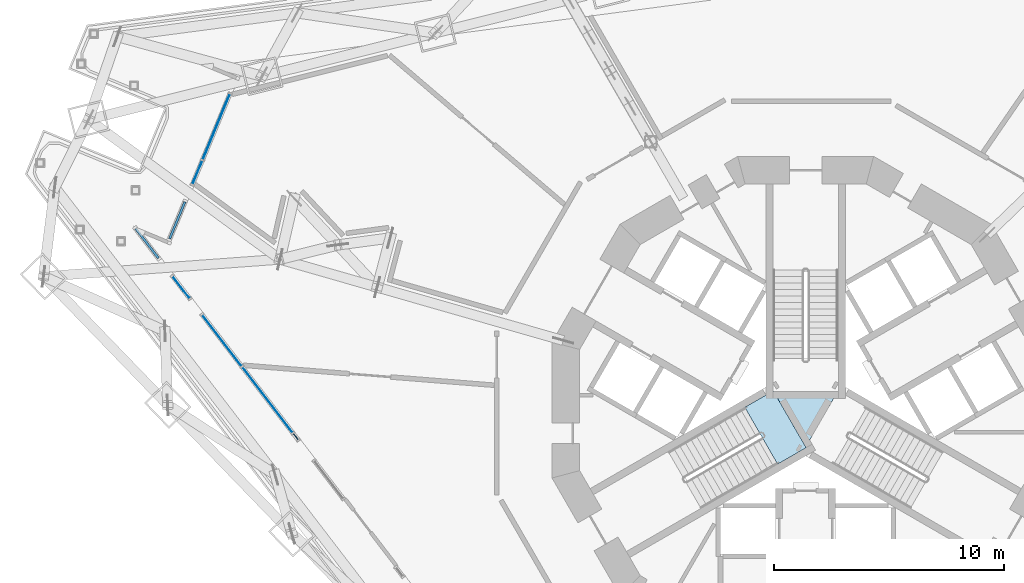
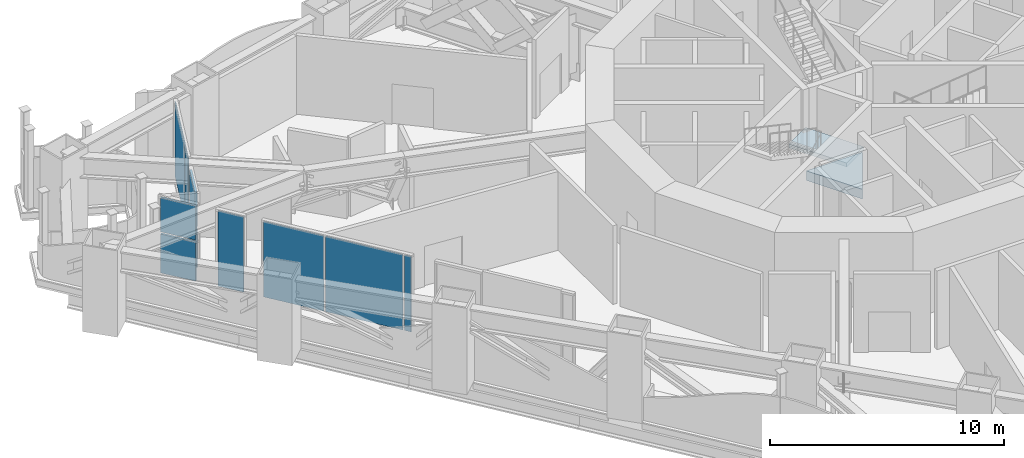
# One storey, part 15 of 31: 10 plates, 2 slabs, 6 elements without a shape of their own.
"""IFC4 building model written with IfcOpenShell, lengths in metres."""

from ifc_helpers import new_model, si_unit, direction, frame, origin, origin_2d, place, context, subcontext, project, spatial, polyline, rectangle, outline, extrude, material, layer, layer_set, type_object, element, aggregate, save


model = new_model("IFC4")

# Units and contexts
model_context = context("Model", 3, precision=1e-05, world=origin(), true_north=direction((0.0, 1.0)))
body_context = subcontext(model_context, "Body", "Model", "MODEL_VIEW")
ifc_project = project(units=[si_unit("LENGTHUNIT", "METRE"), si_unit("AREAUNIT", "SQUARE_METRE"), si_unit("VOLUMEUNIT", "CUBIC_METRE"), si_unit("PLANEANGLEUNIT", "RADIAN"), si_unit("MASSUNIT", "GRAM", prefix="KILO")], contexts=[model_context])

# Site, building, storey
site_placement = place(None, origin())
site = spatial("IfcSite", under=ifc_project, at=site_placement, CompositionType="ELEMENT")
building_placement = place(site_placement, origin())
building = spatial("IfcBuilding", under=site, at=building_placement, Name="Trine Commons Tower", CompositionType="ELEMENT")
storey_placement = place(building_placement, frame((0.0, 0.0, 82.800048828125)))
storey = spatial("IfcBuildingStorey", under=building, at=storey_placement, Name="L20", CompositionType="ELEMENT", Elevation=82.800048828125)

# Curtain wall, plates
ifc_material_1 = material(Name="Sky lounge glazing: anodised aluminium frame with low-emissivity double glazed unit, solar control", Category="aluminium")
ifc_layer_1 = layer(ifc_material_1, 0.179931640625)
ifc_layer_set_1 = layer_set([ifc_layer_1], Name="Sky lounge glazing: anodised aluminium frame with low-emissivity double glazed unit, solar control")
curtain_wall_type_1 = type_object("IfcCurtainWallType", Name="Sky lounge glazing curtain wall CW5", PredefinedType="NOTDEFINED", material=ifc_layer_set_1)
curtain_wall_1_placement = place(storey_placement, origin())
curtain_wall_1 = element("IfcCurtainWall", 1, at=curtain_wall_1_placement, inside=storey, type_object=curtain_wall_type_1, Name="Sky lounge glazing L20 P1.2", PredefinedType="NOTDEFINED")
ifc_material_2 = material(Name="Low-emissivity double glazed unit, solar control")
ifc_layer_2 = layer(ifc_material_2, 0.031982421875)
ifc_layer_set_2 = layer_set([ifc_layer_2], Name="Low-emissivity double glazed unit, solar control")
plate_type_1 = type_object("IfcPlateType", Name="Double glazed unit 32 mm (sky floors)", PredefinedType="CURTAIN_PANEL", material=ifc_layer_set_2)
plate_1_placement = place(storey_placement, frame((53.59228515625, 72.8115234375, 0.10986328125), z_axis=(0.0, 0.0, 1.0), x_axis=(0.382683432365, 0.923879532511, 0.0)))
plate_1 = element("IfcPlate", 2, at=plate_1_placement, type_object=plate_type_1, Name="CW5 panel 1.1", PredefinedType="CURTAIN_PANEL", context=body_context, shape_type="SweptSolid", body=[
    extrude(rectangle(XDim=1.0830078125, YDim=0.031982421875, at=origin_2d()), origin(), (0.0, 0.0, 1.0), 3.929931640625),
])
plate_2_placement = place(storey_placement, frame((54.41455078125, 74.79638671875, 0.10986328125), z_axis=(0.0, 0.0, 1.0), x_axis=(0.382683432365, 0.923879532511, 0.0)))
plate_2 = element("IfcPlate", 3, at=plate_2_placement, type_object=plate_type_1, Name="CW5 panel 2.1", PredefinedType="CURTAIN_PANEL", context=body_context, shape_type="SweptSolid", body=[
    extrude(rectangle(XDim=3.063720703125, YDim=0.031982421875, at=origin_2d()), origin(), (0.0, 0.0, 1.0), 3.929931640625),
])
aggregate(curtain_wall_1, [plate_1, plate_2])

curtain_wall_2_placement = place(storey_placement, origin())
curtain_wall_2 = element("IfcCurtainWall", 4, at=curtain_wall_2_placement, inside=storey, type_object=curtain_wall_type_1, Name="Sky lounge glazing L20 F3.3", PredefinedType="NOTDEFINED")
plate_3_placement = place(storey_placement, frame((57.862548828125, 61.34375, 0.10986328125), z_axis=(0.0, 0.0, 1.0), x_axis=(-0.608761429009, 0.793353340291, 0.0)))
plate_3 = element("IfcPlate", 5, at=plate_3_placement, type_object=plate_type_1, Name="CW5 panel 1.1", PredefinedType="CURTAIN_PANEL", context=body_context, shape_type="SweptSolid", body=[
    extrude(rectangle(XDim=0.3125, YDim=0.031982421875, at=origin_2d()), origin(), (0.0, 0.0, 1.0), 3.929931640625),
])
plate_4_placement = place(storey_placement, frame((56.635498046875, 62.94287109375, 0.10986328125), z_axis=(0.0, 0.0, 1.0), x_axis=(-0.608761429009, 0.793353340291, 0.0)))
plate_4 = element("IfcPlate", 6, at=plate_4_placement, type_object=plate_type_1, Name="CW5 panel 2.1", PredefinedType="CURTAIN_PANEL", context=body_context, shape_type="SweptSolid", body=[
    extrude(rectangle(XDim=3.568603515625, YDim=0.031982421875, at=origin_2d()), origin(), (0.0, 0.0, 1.0), 3.929931640625),
])
plate_5_placement = place(storey_placement, frame((54.656005859375, 65.5224609375, 0.10986328125), z_axis=(0.0, 0.0, 1.0), x_axis=(-0.608761429009, 0.793353340291, 0.0)))
plate_5 = element("IfcPlate", 7, at=plate_5_placement, type_object=plate_type_1, Name="CW5 panel 3.1", PredefinedType="CURTAIN_PANEL", context=body_context, shape_type="SweptSolid", body=[
    extrude(rectangle(XDim=2.78466796875, YDim=0.031982421875, at=origin_2d()), origin(), (0.0, 0.0, 1.0), 3.929931640625),
])
aggregate(curtain_wall_2, [plate_3, plate_4, plate_5])

# Curtain wall, plate
curtain_wall_3_placement = place(storey_placement, origin())
curtain_wall_3 = element("IfcCurtainWall", 8, at=curtain_wall_3_placement, inside=storey, type_object=curtain_wall_type_1, Name="Sky lounge glazing L20 F3.4", PredefinedType="NOTDEFINED")
plate_6_placement = place(storey_placement, frame((52.887451171875, 67.8271484375, 0.10986328125), z_axis=(0.0, 0.0, 1.0), x_axis=(-0.608761429009, 0.793353340291, 0.0)))
plate_6 = element("IfcPlate", 9, at=plate_6_placement, type_object=plate_type_1, Name="CW5 panel 1.1", PredefinedType="CURTAIN_PANEL", context=body_context, shape_type="SweptSolid", body=[
    extrude(rectangle(XDim=1.19091796875, YDim=0.031982421875, at=origin_2d()), origin(), (0.0, 0.0, 1.0), 3.929931640625),
])
aggregate(curtain_wall_3, [plate_6])

# Curtain wall, plates
ifc_material_3 = material(Name="Plant louvre wall: anodised aluminium frame with anodised aluminium louvre blades", Category="aluminium")
ifc_layer_3 = layer(ifc_material_3, 0.199951171875)
ifc_layer_set_3 = layer_set([ifc_layer_3], Name="Plant louvre wall: anodised aluminium frame with anodised aluminium louvre blades")
curtain_wall_type_2 = type_object("IfcCurtainWallType", Name="Plant louvre wall curtain wall CW7", PredefinedType="NOTDEFINED", material=ifc_layer_set_3)
curtain_wall_4_placement = place(storey_placement, origin())
curtain_wall_4 = element("IfcCurtainWall", 10, at=curtain_wall_4_placement, inside=storey, type_object=curtain_wall_type_2, Name="Plant louvre wall L20 P1.1", PredefinedType="NOTDEFINED")
ifc_material_4 = material(Name="Anodised aluminium louvre blades", Category="aluminium")
ifc_layer_4 = layer(ifc_material_4, 0.10009765625)
ifc_layer_set_4 = layer_set([ifc_layer_4], Name="Anodised aluminium louvre blades")
plate_type_2 = type_object("IfcPlateType", Name="Fixed aluminium louvre panel 100", PredefinedType="CURTAIN_PANEL", material=ifc_layer_set_4)
plate_7_placement = place(storey_placement, frame((52.72119140625, 70.734130859375, 0.119873046875), z_axis=(0.0, 0.0, 1.0), x_axis=(0.382683432365, 0.923879532511, 0.0)))
plate_7 = element("IfcPlate", 11, at=plate_7_placement, type_object=plate_type_2, Name="CW7 panel 1.1", PredefinedType="CURTAIN_PANEL", context=body_context, shape_type="SweptSolid", body=[
    extrude(rectangle(XDim=1.736328125, YDim=0.10009765625, at=origin_2d()), origin(), (0.0, 0.0, 1.0), 2.02001953125),
])
plate_8_placement = place(storey_placement, frame((52.72119140625, 70.734130859375, 2.260009765625), z_axis=(0.0, 0.0, 1.0), x_axis=(0.382683432365, 0.923879532511, 0.0)))
plate_8 = element("IfcPlate", 12, at=plate_8_placement, type_object=plate_type_2, Name="CW7 panel 1.2", PredefinedType="CURTAIN_PANEL", context=body_context, shape_type="SweptSolid", body=[
    extrude(rectangle(XDim=1.736328125, YDim=0.10009765625, at=origin_2d()), origin(), (0.0, 0.0, 1.0), 1.77001953125),
])
aggregate(curtain_wall_4, [plate_7, plate_8])

curtain_wall_5_placement = place(storey_placement, origin())
curtain_wall_5 = element("IfcCurtainWall", 13, at=curtain_wall_5_placement, inside=storey, type_object=curtain_wall_type_2, Name="Plant louvre wall L20 F3.5", PredefinedType="NOTDEFINED")
plate_9_placement = place(storey_placement, frame((51.409912109375, 69.736328125, 0.119873046875), z_axis=(0.0, 0.0, 1.0), x_axis=(-0.608761429009, 0.793353340291, 0.0)))
plate_9 = element("IfcPlate", 14, at=plate_9_placement, type_object=plate_type_2, Name="CW7 panel 1.1", PredefinedType="CURTAIN_PANEL", context=body_context, shape_type="SweptSolid", body=[
    extrude(rectangle(XDim=1.621826171875, YDim=0.10009765625, at=origin_2d()), origin(), (0.0, 0.0, 1.0), 2.02001953125),
])
plate_10_placement = place(storey_placement, frame((51.409912109375, 69.736328125, 2.260009765625), z_axis=(0.0, 0.0, 1.0), x_axis=(-0.608761429009, 0.793353340291, 0.0)))
plate_10 = element("IfcPlate", 15, at=plate_10_placement, type_object=plate_type_2, Name="CW7 panel 1.2", PredefinedType="CURTAIN_PANEL", context=body_context, shape_type="SweptSolid", body=[
    extrude(rectangle(XDim=1.621826171875, YDim=0.10009765625, at=origin_2d()), origin(), (0.0, 0.0, 1.0), 1.77001953125),
])
aggregate(curtain_wall_5, [plate_9, plate_10])

# Stair, slab
ifc_material_5 = material(Name="Concrete C50/60", Category="concrete")
stair_type = type_object("IfcStairType", Name="Exit stair, dog-leg, 30 risers of 150 mm", PredefinedType="HALF_TURN_STAIR", material=ifc_material_5)
stair_placement = place(storey_placement, origin())
stair = element("IfcStair", 16, at=stair_placement, inside=storey, type_object=stair_type, Name="L20 Exit stair ST2A", PredefinedType="HALF_TURN_STAIR")
ifc_layer_5 = layer(ifc_material_5, 0.199951171875)
ifc_layer_set_5 = layer_set([ifc_layer_5], Name="Concrete C50/60")
slab_type_1 = type_object("IfcSlabType", Name="Stair landing slab 200 mm, C50/60", PredefinedType="LANDING", material=ifc_layer_set_5)
slab_1_placement = place(storey_placement, frame((0.0, 0.0, 2.050048828125)))
slab_1 = element("IfcSlab", 17, at=slab_1_placement, type_object=slab_type_1, Name="ST2A landing 1", PredefinedType="LANDING", context=body_context, shape_type="SweptSolid", body=[
    extrude(outline(polyline([(78.78076171875, 60.150634765625), (80.019287109375, 60.86572265625), (78.59423828125, 63.333740234375), (77.355712890625, 62.618896484375), (78.78076171875, 60.150634765625)])), origin(), (0.0, 0.0, 1.0), 0.199951171875),
])
aggregate(stair, [slab_1])

# Slab
ifc_layer_6 = layer(ifc_material_5, 0.5)
ifc_layer_set_6 = layer_set([ifc_layer_6], Name="Concrete C50/60")
slab_type_2 = type_object("IfcSlabType", Name="Transfer floor slab 500 mm, C50/60", PredefinedType="FLOOR", material=ifc_layer_set_6)
slab_2_placement = place(storey_placement, frame((0.0, 0.0, -0.5)))
element("IfcSlab", 18, at=slab_2_placement, inside=storey, type_object=slab_type_2, Name="Floor slab L20 2", PredefinedType="FLOOR", context=body_context, shape_type="SweptSolid", body=[
    extrude(outline(polyline([(78.61328125, 63.300537109375), (80.0, 60.89892578125), (81.38671875, 63.300537109375), (78.61328125, 63.300537109375)])), origin(), (0.0, 0.0, 1.0), 0.5),
])

save(model, "model.ifc")
